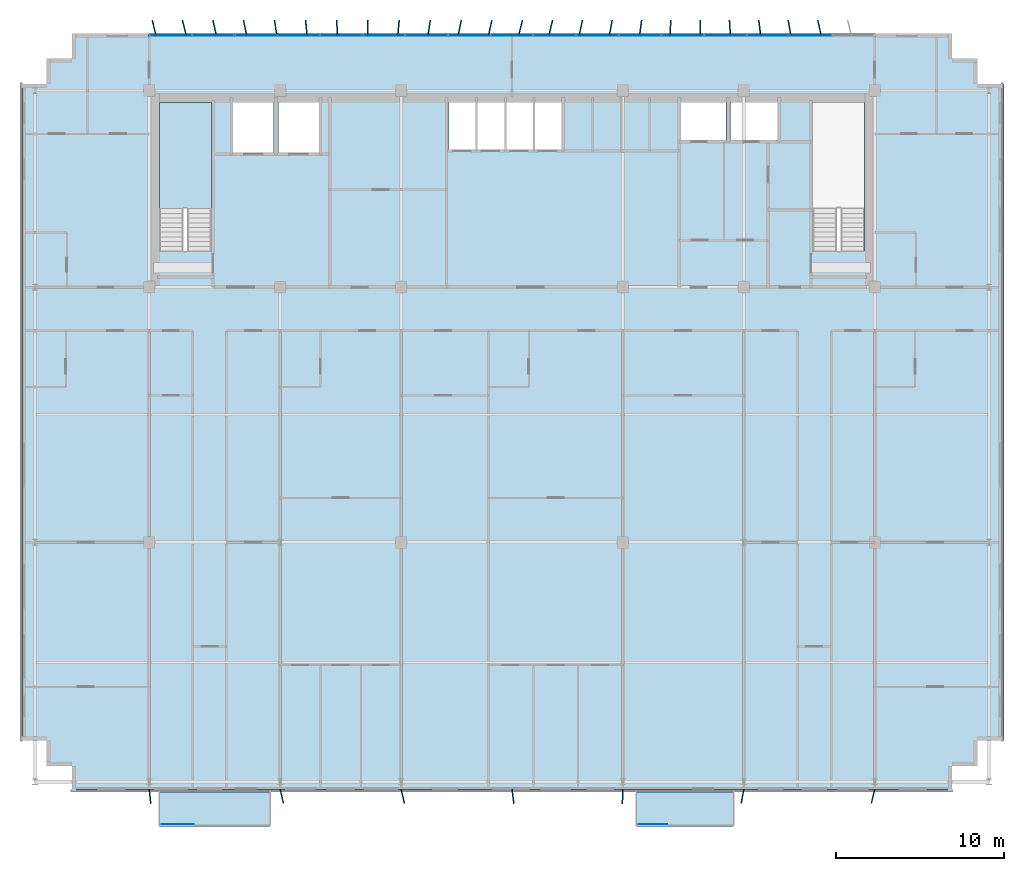
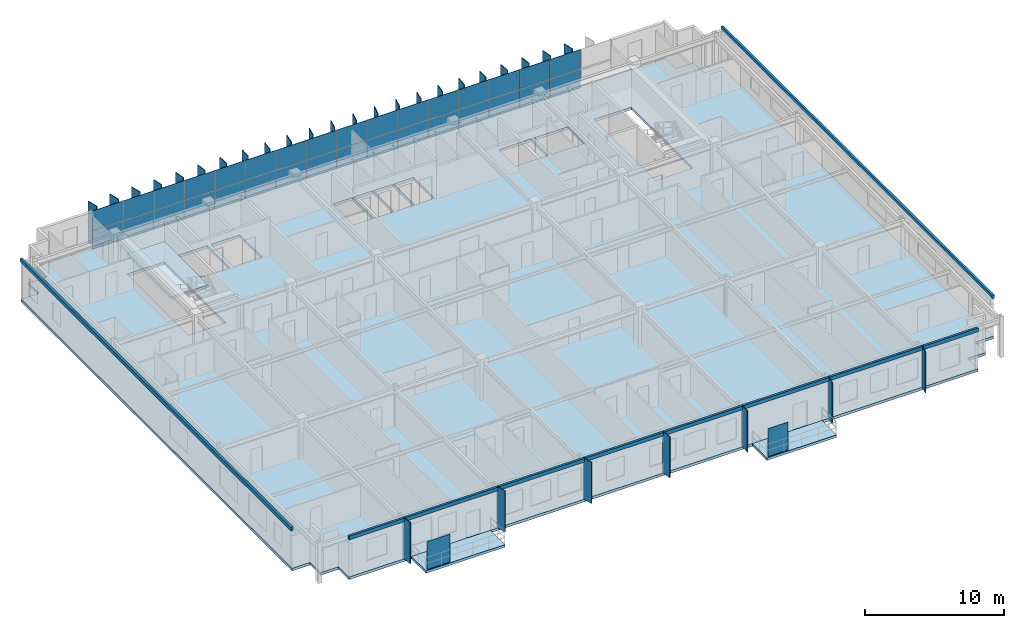
# One storey, part 15 of 23: 67 plates, 4 slabs, 2 elements without a shape of their own.
"""IFC4 building model written with IfcOpenShell, lengths in metres."""

from ifc_helpers import new_model, si_unit, direction, frame, origin, origin_2d, place, context, subcontext, project, spatial, polyline, rectangle, outline, extrude, source, transform, mapped, material, layer, layer_set, type_object, element, aggregate, save


model = new_model("IFC4")

# Units and contexts
model_context = context("Model", 3, precision=1e-05, world=origin(), true_north=direction((0.0, 1.0)))
body_context = subcontext(model_context, "Body", "Model", "MODEL_VIEW")
ifc_project = project(units=[si_unit("LENGTHUNIT", "METRE"), si_unit("AREAUNIT", "SQUARE_METRE"), si_unit("VOLUMEUNIT", "CUBIC_METRE"), si_unit("PLANEANGLEUNIT", "RADIAN"), si_unit("MASSUNIT", "GRAM", prefix="KILO")], contexts=[model_context])

# Site, building, storey
site_placement = place(None, origin())
site = spatial("IfcSite", under=ifc_project, at=site_placement, CompositionType="ELEMENT")
building_placement = place(site_placement, origin())
building = spatial("IfcBuilding", under=site, at=building_placement, Name="Trelvane Seafront Commons", CompositionType="ELEMENT")
storey_placement = place(building_placement, frame((0.0, 0.0, 208.5)))
storey = spatial("IfcBuildingStorey", under=building, at=storey_placement, Name="L54", CompositionType="ELEMENT", Elevation=208.5)

# Slabs
ifc_material_1 = material(Name="Concrete C40/50", Category="concrete")
ifc_layer_1 = layer(ifc_material_1, 0.219970703125, Name="ARCH-BALC-220")
ifc_layer_set_1 = layer_set([ifc_layer_1], Name="Concrete C40/50")
slab_type_1 = type_object("IfcSlabType", Name="ARCH-BALC-220", PredefinedType="FLOOR", material=ifc_layer_set_1)
slab_1_placement = place(storey_placement, frame((0.0, 0.0, -0.219970703125)))
element("IfcSlab", 1, at=slab_1_placement, inside=storey, type_object=slab_type_1, Name="L54 Cantilevered Tree Balcony Loggia 1", PredefinedType="FLOOR", context=body_context, shape_type="SweptSolid", body=[
    extrude(outline(polyline([(16.199951171875, 1.300048828125), (22.800048828125, 1.300048828125), (22.800048828125, 3.39990234375), (16.199951171875, 3.39990234375), (16.199951171875, 1.300048828125)])), origin(), (0.0, 0.0, 1.0), 0.219970703125),
])
slab_2_placement = place(storey_placement, frame((0.0, 0.0, -0.219970703125)))
element("IfcSlab", 2, at=slab_2_placement, inside=storey, type_object=slab_type_1, Name="L54 Cantilevered Tree Balcony Loggia 2", PredefinedType="FLOOR", context=body_context, shape_type="SweptSolid", body=[
    extrude(outline(polyline([(44.60009765625, 1.300048828125), (50.39990234375, 1.300048828125), (50.39990234375, 3.39990234375), (44.60009765625, 3.39990234375), (44.60009765625, 1.300048828125)])), origin(), (0.0, 0.0, 1.0), 0.219970703125),
])

# Stair, slab
stair_type = type_object("IfcStairType", Name="ARCH-STR-ST-1-R20-180", PredefinedType="HALF_TURN_STAIR", material=ifc_material_1)
stair_placement = place(storey_placement, origin())
stair = element("IfcStair", 3, at=stair_placement, inside=storey, type_object=stair_type, Name="L54 West Protected Firefighting Exit Stair ST-1", PredefinedType="HALF_TURN_STAIR")
ifc_layer_2 = layer(ifc_material_1, 0.199951171875, Name="ARCH-LND-200")
ifc_layer_set_2 = layer_set([ifc_layer_2], Name="Concrete C40/50")
slab_type_2 = type_object("IfcSlabType", Name="ARCH-LND-200", PredefinedType="LANDING", material=ifc_layer_set_2)
slab_3_placement = place(storey_placement, frame((0.0, 0.0, 1.60009765625)))
slab_3 = element("IfcSlab", 4, at=slab_3_placement, type_object=slab_type_2, Name="ST-1 landing 1", PredefinedType="LANDING", context=body_context, shape_type="SweptSolid", body=[
    extrude(outline(polyline([(19.300048828125, 38.070068359375), (19.300048828125, 44.39990234375), (16.199951171875, 44.39990234375), (16.199951171875, 38.070068359375), (19.300048828125, 38.070068359375)])), origin(), (0.0, 0.0, 1.0), 0.199951171875),
])
aggregate(stair, [slab_3])

# Slab
ifc_material_2 = material(Name="Concrete C50/60", Category="concrete")
ifc_layer_3 = layer(ifc_material_2, 0.239990234375, Name="STR-SLB-Z4-240")
ifc_layer_set_3 = layer_set([ifc_layer_3], Name="Concrete C50/60")
slab_type_3 = type_object("IfcSlabType", Name="STR-SLB-Z4-240", PredefinedType="FLOOR", material=ifc_layer_set_3)
slab_4_placement = place(storey_placement, frame((0.0, 0.0, -0.239990234375)))
element("IfcSlab", 5, at=slab_4_placement, inside=storey, type_object=slab_type_3, Name="L54 Structural Floor Slab", PredefinedType="FLOOR", context=body_context, shape_type="SweptSolid", body=[
    extrude(outline(polyline([(11.0, 3.39990234375), (63.39990234375, 3.39990234375), (63.39990234375, 4.89990234375), (64.89990234375, 4.89990234375), (64.89990234375, 6.39990234375), (66.39990234375, 6.39990234375), (66.39990234375, 45.5), (64.89990234375, 45.5), (64.89990234375, 47.0), (63.39990234375, 47.0), (63.39990234375, 48.5), (11.0, 48.5), (11.0, 47.0), (9.5, 47.0), (9.5, 45.5), (8.0, 45.5), (8.0, 6.39990234375), (9.5, 6.39990234375), (9.5, 4.89990234375), (11.0, 4.89990234375), (11.0, 3.39990234375)]), holes=[polyline([(19.300048828125, 35.550048828125), (16.199951171875, 35.550048828125), (16.199951171875, 44.39990234375), (19.300048828125, 44.39990234375), (19.300048828125, 35.550048828125)]), polyline([(58.199951171875, 35.550048828125), (55.10009765625, 35.550048828125), (55.10009765625, 44.39990234375), (58.199951171875, 44.39990234375), (58.199951171875, 35.550048828125)]), polyline([(23.0, 41.39990234375), (20.60009765625, 41.39990234375), (20.60009765625, 44.60009765625), (23.0, 44.60009765625), (23.0, 41.39990234375)]), polyline([(23.300048828125, 41.39990234375), (23.300048828125, 44.60009765625), (25.699951171875, 44.60009765625), (25.699951171875, 41.39990234375), (23.300048828125, 41.39990234375)]), polyline([(33.449951171875, 41.60009765625), (33.449951171875, 44.60009765625), (35.070068359375, 44.60009765625), (35.070068359375, 41.60009765625), (33.449951171875, 41.60009765625)]), polyline([(36.77001953125, 41.60009765625), (35.14990234375, 41.60009765625), (35.14990234375, 44.60009765625), (36.77001953125, 44.60009765625), (36.77001953125, 41.60009765625)]), polyline([(38.469970703125, 41.60009765625), (36.85009765625, 41.60009765625), (36.85009765625, 44.60009765625), (38.469970703125, 44.60009765625), (38.469970703125, 41.60009765625)]), polyline([(40.169921875, 41.60009765625), (38.550048828125, 41.60009765625), (38.550048828125, 44.60009765625), (40.169921875, 44.60009765625), (40.169921875, 41.60009765625)]), polyline([(47.25, 42.14990234375), (47.25, 44.550048828125), (49.949951171875, 44.550048828125), (49.949951171875, 42.14990234375), (47.25, 42.14990234375)]), polyline([(50.199951171875, 42.14990234375), (50.199951171875, 44.550048828125), (53.0, 44.550048828125), (53.0, 42.14990234375), (50.199951171875, 42.14990234375)])]), origin(), (0.0, 0.0, 1.0), 0.239990234375),
])

# Plates
ifc_material_3 = material(Name="Perforated anodised aluminium screen", Category="aluminium")
ifc_layer_4 = layer(ifc_material_3, 0.01611328125, Name="ARCH-PLATE-SCREEN")
ifc_layer_set_4 = layer_set([ifc_layer_4], Name="Perforated anodised aluminium screen")
plate_type_1 = type_object("IfcPlateType", Name="ARCH-PLATE-SCREEN", PredefinedType="USERDEFINED", material=ifc_layer_set_4)
shared_shape_1 = source(origin(), body_context, "Body", "SweptSolid", [
    extrude(rectangle(XDim=1.9140625, YDim=0.01611328125, at=origin_2d()), origin(), (0.0, 0.0, 1.0), 2.449951171875),
])
plate_1_placement = place(storey_placement, frame((17.306884765625, 1.419921875, 0.0), z_axis=(0.0, 0.0, 1.0), x_axis=(1.0, 0.0, 0.0)))
element("IfcPlate", 6, at=plate_1_placement, inside=storey, type_object=plate_type_1, Name="SCR-L54-00192", ObjectType="SCREEN", PredefinedType="USERDEFINED", context=body_context, shape_type="MappedRepresentation", body=[
    mapped(shared_shape_1, transform((0.0, 0.0, 0.0), x_axis=(1.0, 0.0, 0.0), y_axis=(0.0, 1.0, 0.0), z_axis=(0.0, 0.0, 1.0), scale=1.0)),
])
shared_shape_2 = source(origin(), body_context, "Body", "SweptSolid", [
    extrude(rectangle(XDim=1.681884765625, YDim=0.01611328125, at=origin_2d()), origin(), (0.0, 0.0, 1.0), 2.449951171875),
])
plate_2_placement = place(storey_placement, frame((45.591064453125, 1.419921875, 0.0), z_axis=(0.0, 0.0, 1.0), x_axis=(1.0, 0.0, 0.0)))
element("IfcPlate", 7, at=plate_2_placement, inside=storey, type_object=plate_type_1, Name="SCR-L54-00193", ObjectType="SCREEN", PredefinedType="USERDEFINED", context=body_context, shape_type="MappedRepresentation", body=[
    mapped(shared_shape_2, transform((0.0, 0.0, 0.0), x_axis=(1.0, 0.0, 0.0), y_axis=(0.0, 1.0, 0.0), z_axis=(0.0, 0.0, 1.0), scale=1.0)),
])
ifc_material_4 = material(Name="Anodised pale-silver aluminium", Category="aluminium")
ifc_layer_5 = layer(ifc_material_4, 0.06005859375, Name="ARCH-PLATE-FIN900")
ifc_layer_set_5 = layer_set([ifc_layer_5], Name="Anodised pale-silver aluminium")
plate_type_2 = type_object("IfcPlateType", Name="ARCH-PLATE-FIN900", PredefinedType="USERDEFINED", material=ifc_layer_set_5)
shared_shape_3 = source(origin(), body_context, "Body", "SweptSolid", [
    extrude(rectangle(XDim=0.89990234375, YDim=0.06005859375, at=origin_2d()), origin(), (0.0, 0.0, 1.0), 3.639892578125),
])
for number, where, z_axis, x_axis, name in (
    (8, (15.8935546875, 48.837158203125, -0.02001953125), (0.0, 0.0, 1.0), (-0.236439642978, 0.971646178003, 0.0), "FIN-L54-01480"),
    (9, (19.496826171875, 48.837890625, -0.02001953125), (0.0, 0.0, 1.0), (-0.228996521822, 0.973427240729, 0.0), "FIN-L54-01482"),
    (10, (21.31005859375, 48.8408203125, -0.02001953125), (0.0, 0.0, 1.0), (-0.199768125932, 0.97984319963, 0.0), "FIN-L54-01483"),
    (11, (23.1298828125, 48.844482421875, -0.02001953125), (0.0, 0.0, 1.0), (-0.155563864507, 0.987825836906, 0.0), "FIN-L54-01484"),
    (12, (24.955078125, 48.84765625, -0.02001953125), (0.0, 0.0, 1.0), (-0.099559411404, 0.995031619397, 0.0), "FIN-L54-01485"),
    (13, (26.783935546875, 48.849609375, -0.02001953125), (0.0, 0.0, 1.0), (-0.035890222504, 0.999355738428, 0.0), "FIN-L54-01486"),
    (14, (28.61376953125, 48.849853515625, -0.02001953125), (0.0, 0.0, 1.0), (0.030665862572, 0.999529691841, 0.0), "FIN-L54-01487"),
    (15, (30.442626953125, 48.847900390625, -0.02001953125), (0.0, 0.0, 1.0), (0.094782474055, 0.995498007337, 0.0), "FIN-L54-01488"),
    (16, (32.268310546875, 48.8447265625, -0.02001953125), (0.0, 0.0, 1.0), (0.151555830794, 0.988448698796, 0.0), "FIN-L54-01489"),
    (17, (34.08837890625, 48.84130859375, -0.02001953125), (0.0, 0.0, 1.0), (0.19677786044, 0.980448098392, 0.0), "FIN-L54-01490"),
    (18, (35.90234375, 48.838134765625, -0.02001953125), (0.0, 0.0, 1.0), (0.227341413427, 0.973815116817, 0.0), "FIN-L54-01491"),
    (19, (37.70849609375, 48.836669921875, -0.02001953125), (0.0, 0.0, 1.0), (0.241227504659, 0.970468593514, 0.0), "FIN-L54-01492"),
    (20, (39.5068359375, 48.837158203125, -0.02001953125), (0.0, 0.0, 1.0), (0.237434978264, 0.971403433748, 0.0), "FIN-L54-01493"),
    (21, (41.29736328125, 48.83935546875, -0.02001953125), (0.0, 0.0, 1.0), (0.216436206021, 0.976296762631, 0.0), "FIN-L54-01494"),
    (22, (43.080810546875, 48.8427734375, -0.02001953125), (0.0, 0.0, 1.0), (0.179334521954, 0.98378815262, 0.0), "FIN-L54-01495"),
    (23, (44.85791015625, 48.84619140625, -0.02001953125), (0.0, 0.0, 1.0), (0.128778288631, 0.991673410139, 0.0), "FIN-L54-01496"),
    (24, (46.630615234375, 48.84912109375, -0.02001953125), (0.0, 0.0, 1.0), (0.068332201564, 0.99766262345, 0.0), "FIN-L54-01497"),
    (25, (48.401123046875, 48.85009765625, -0.02001953125), (0.0, 0.0, 1.0), (0.002666859936, 0.999996443923, 0.0), "FIN-L54-01498"),
    (26, (50.17138671875, 48.84912109375, -0.02001953125), (0.0, 0.0, 1.0), (-0.063332236563, 0.997992498876, 0.0), "FIN-L54-01499"),
    (27, (51.944091796875, 48.846435546875, -0.02001953125), (0.0, 0.0, 1.0), (-0.124444889672, 0.992226521231, 0.0), "FIN-L54-01500"),
    (28, (53.720703125, 48.843017578125, -0.02001953125), (0.0, 0.0, 1.0), (-0.175882186689, 0.984411223222, 0.0), "FIN-L54-01501"),
    (29, (55.503662109375, 48.839599609375, -0.02001953125), (0.0, 0.0, 1.0), (-0.214118213828, 0.976807755143, 0.0), "FIN-L54-01502"),
):
    element("IfcPlate", number, at=place(storey_placement, frame(where, z_axis=z_axis, x_axis=x_axis)), inside=storey, type_object=plate_type_2, Name=name, ObjectType="FIN", PredefinedType="USERDEFINED", context=body_context, shape_type="MappedRepresentation", body=[
        mapped(shared_shape_3, transform((0.0, 0.0, 0.0), x_axis=(1.0, 0.0, 0.0), y_axis=(0.0, 1.0, 0.0), z_axis=(0.0, 0.0, 1.0), scale=1.0)),
    ])
shared_shape_4 = source(origin(), body_context, "Body", "SweptSolid", [
    extrude(rectangle(XDim=0.900146484375, YDim=0.06005859375, at=origin_2d()), origin(), (0.0, 0.0, 1.0), 3.639892578125),
])
plate_3_placement = place(storey_placement, frame((17.69140625, 48.836669921875, -0.02001953125), z_axis=(0.0, 0.0, 1.0), x_axis=(-0.241542536366, 0.970390232394, 0.0)))
element("IfcPlate", 30, at=plate_3_placement, inside=storey, type_object=plate_type_2, Name="FIN-L54-01481", ObjectType="FIN", PredefinedType="USERDEFINED", context=body_context, shape_type="MappedRepresentation", body=[
    mapped(shared_shape_4, transform((0.0, 0.0, 0.0), x_axis=(1.0, 0.0, 0.0), y_axis=(0.0, 1.0, 0.0), z_axis=(0.0, 0.0, 1.0), scale=1.0)),
])
shared_shape_5 = source(origin(), body_context, "Body", "SweptSolid", [
    extrude(rectangle(XDim=0.85009765625, YDim=0.06005859375, at=origin_2d()), origin(), (0.0, 0.0, 1.0), 3.639892578125),
])
for number, where, z_axis, x_axis, name in (
    (31, (15.648193359375, 3.07763671875, -0.02001953125), (0.0, 0.0, 1.0), (0.113529220353, -0.993534657738, 0.0), "FIN-S-L54-01504"),
    (32, (23.495361328125, 3.085693359375, -0.02001953125), (0.0, 0.0, 1.0), (0.224360906113, -0.974506123022, 0.0), "FIN-S-L54-01505"),
    (33, (30.697998046875, 3.08642578125, -0.02001953125), (0.0, 0.0, 1.0), (0.230363950938, -0.97310454223, 0.0), "FIN-S-L54-01506"),
    (34, (37.2548828125, 3.07861328125, -0.02001953125), (0.0, 0.0, 1.0), (0.128826750782, -0.991667115661, 0.0), "FIN-S-L54-01507"),
    (35, (43.78515625, 3.0751953125, -0.02001953125), (0.0, 0.0, 1.0), (-0.034822748894, -0.999393504161, 0.0), "FIN-S-L54-01508"),
    (36, (50.9228515625, 3.08203125, -0.02001953125), (0.0, 0.0, 1.0), (-0.181411731933, -0.98340723178, 0.0), "FIN-S-L54-01509"),
    (37, (58.697265625, 3.087646484375, -0.02001953125), (0.0, 0.0, 1.0), (-0.241871090703, -0.970308391947, 0.0), "FIN-S-L54-01510"),
):
    element("IfcPlate", number, at=place(storey_placement, frame(where, z_axis=z_axis, x_axis=x_axis)), inside=storey, type_object=plate_type_2, Name=name, ObjectType="FIN", PredefinedType="USERDEFINED", context=body_context, shape_type="MappedRepresentation", body=[
        mapped(shared_shape_5, transform((0.0, 0.0, 0.0), x_axis=(1.0, 0.0, 0.0), y_axis=(0.0, 1.0, 0.0), z_axis=(0.0, 0.0, 1.0), scale=1.0)),
    ])

# Curtain wall, plates
curtain_wall_type = type_object("IfcCurtainWallType", Name="ARCH-CW5-UPTOWER", PredefinedType="NOTDEFINED", material=ifc_material_4)
curtain_wall_placement = place(storey_placement, origin())
curtain_wall = element("IfcCurtainWall", 38, at=curtain_wall_placement, inside=storey, type_object=curtain_wall_type, Name="CW-L54-0097", PredefinedType="NOTDEFINED")
ifc_material_5 = material(Name="Low-E coastal double glazing", Category="glass")
ifc_layer_6 = layer(ifc_material_5, 0.033935546875, Name="ARCH-CW-GLAZ-34")
ifc_layer_set_6 = layer_set([ifc_layer_6], Name="Low-E coastal double glazing")
plate_type_3 = type_object("IfcPlateType", Name="ARCH-CW-GLAZ-34", PredefinedType="CURTAIN_PANEL", material=ifc_layer_set_6)
shared_shape_6 = source(origin(), body_context, "Body", "SweptSolid", [
    extrude(rectangle(XDim=2.51708984375, YDim=0.033935546875, at=origin_2d()), origin(), (0.0, 0.0, 1.0), 1.594970703125),
])
plate_4_placement = place(storey_placement, frame((16.87060546875, 48.3701171875, 0.0), z_axis=(0.0, 0.0, 1.0), x_axis=(1.0, 0.0, 0.0)))
plate_4 = element("IfcPlate", 39, at=plate_4_placement, type_object=plate_type_3, Name="CW-L54-0097-P00-1", PredefinedType="CURTAIN_PANEL", context=body_context, shape_type="MappedRepresentation", body=[
    mapped(shared_shape_6, transform((0.0, 0.0, 0.0), x_axis=(1.0, 0.0, 0.0), y_axis=(0.0, 1.0, 0.0), z_axis=(0.0, 0.0, 1.0), scale=1.0)),
])
plate_5_placement = place(storey_placement, frame((19.411865234375, 48.3701171875, 0.0), z_axis=(0.0, 0.0, 1.0), x_axis=(1.0, 0.0, 0.0)))
plate_5 = element("IfcPlate", 40, at=plate_5_placement, type_object=plate_type_3, Name="CW-L54-0097-P01-1", PredefinedType="CURTAIN_PANEL", context=body_context, shape_type="MappedRepresentation", body=[
    mapped(shared_shape_6, transform((0.0, 0.0, 0.0), x_axis=(1.0, 0.0, 0.0), y_axis=(0.0, 1.0, 0.0), z_axis=(0.0, 0.0, 1.0), scale=1.0)),
])
plate_6_placement = place(storey_placement, frame((21.952880859375, 48.3701171875, 0.0), z_axis=(0.0, 0.0, 1.0), x_axis=(1.0, 0.0, 0.0)))
plate_6 = element("IfcPlate", 41, at=plate_6_placement, type_object=plate_type_3, Name="CW-L54-0097-P02-1", PredefinedType="CURTAIN_PANEL", context=body_context, shape_type="MappedRepresentation", body=[
    mapped(shared_shape_6, transform((0.0, 0.0, 0.0), x_axis=(1.0, 0.0, 0.0), y_axis=(0.0, 1.0, 0.0), z_axis=(0.0, 0.0, 1.0), scale=1.0)),
])
plate_7_placement = place(storey_placement, frame((24.494140625, 48.3701171875, 0.0), z_axis=(0.0, 0.0, 1.0), x_axis=(1.0, 0.0, 0.0)))
plate_7 = element("IfcPlate", 42, at=plate_7_placement, type_object=plate_type_3, Name="CW-L54-0097-P03-1", PredefinedType="CURTAIN_PANEL", context=body_context, shape_type="MappedRepresentation", body=[
    mapped(shared_shape_6, transform((0.0, 0.0, 0.0), x_axis=(1.0, 0.0, 0.0), y_axis=(0.0, 1.0, 0.0), z_axis=(0.0, 0.0, 1.0), scale=1.0)),
])
plate_8_placement = place(storey_placement, frame((27.035400390625, 48.3701171875, 0.0), z_axis=(0.0, 0.0, 1.0), x_axis=(1.0, 0.0, 0.0)))
plate_8 = element("IfcPlate", 43, at=plate_8_placement, type_object=plate_type_3, Name="CW-L54-0097-P04-1", PredefinedType="CURTAIN_PANEL", context=body_context, shape_type="MappedRepresentation", body=[
    mapped(shared_shape_6, transform((0.0, 0.0, 0.0), x_axis=(1.0, 0.0, 0.0), y_axis=(0.0, 1.0, 0.0), z_axis=(0.0, 0.0, 1.0), scale=1.0)),
])
plate_9_placement = place(storey_placement, frame((29.576416015625, 48.3701171875, 0.0), z_axis=(0.0, 0.0, 1.0), x_axis=(1.0, 0.0, 0.0)))
plate_9 = element("IfcPlate", 44, at=plate_9_placement, type_object=plate_type_3, Name="CW-L54-0097-P05-1", PredefinedType="CURTAIN_PANEL", context=body_context, shape_type="MappedRepresentation", body=[
    mapped(shared_shape_6, transform((0.0, 0.0, 0.0), x_axis=(1.0, 0.0, 0.0), y_axis=(0.0, 1.0, 0.0), z_axis=(0.0, 0.0, 1.0), scale=1.0)),
])
plate_10_placement = place(storey_placement, frame((32.11767578125, 48.3701171875, 0.0), z_axis=(0.0, 0.0, 1.0), x_axis=(1.0, 0.0, 0.0)))
plate_10 = element("IfcPlate", 45, at=plate_10_placement, type_object=plate_type_3, Name="CW-L54-0097-P06-1", PredefinedType="CURTAIN_PANEL", context=body_context, shape_type="MappedRepresentation", body=[
    mapped(shared_shape_6, transform((0.0, 0.0, 0.0), x_axis=(1.0, 0.0, 0.0), y_axis=(0.0, 1.0, 0.0), z_axis=(0.0, 0.0, 1.0), scale=1.0)),
])
plate_11_placement = place(storey_placement, frame((34.65869140625, 48.3701171875, 0.0), z_axis=(0.0, 0.0, 1.0), x_axis=(1.0, 0.0, 0.0)))
plate_11 = element("IfcPlate", 46, at=plate_11_placement, type_object=plate_type_3, Name="CW-L54-0097-P07-1", PredefinedType="CURTAIN_PANEL", context=body_context, shape_type="MappedRepresentation", body=[
    mapped(shared_shape_6, transform((0.0, 0.0, 0.0), x_axis=(1.0, 0.0, 0.0), y_axis=(0.0, 1.0, 0.0), z_axis=(0.0, 0.0, 1.0), scale=1.0)),
])
plate_12_placement = place(storey_placement, frame((37.199951171875, 48.3701171875, 0.0), z_axis=(0.0, 0.0, 1.0), x_axis=(1.0, 0.0, 0.0)))
plate_12 = element("IfcPlate", 47, at=plate_12_placement, type_object=plate_type_3, Name="CW-L54-0097-P08-1", PredefinedType="CURTAIN_PANEL", context=body_context, shape_type="MappedRepresentation", body=[
    mapped(shared_shape_6, transform((0.0, 0.0, 0.0), x_axis=(1.0, 0.0, 0.0), y_axis=(0.0, 1.0, 0.0), z_axis=(0.0, 0.0, 1.0), scale=1.0)),
])
plate_13_placement = place(storey_placement, frame((39.7412109375, 48.3701171875, 0.0), z_axis=(0.0, 0.0, 1.0), x_axis=(1.0, 0.0, 0.0)))
plate_13 = element("IfcPlate", 48, at=plate_13_placement, type_object=plate_type_3, Name="CW-L54-0097-P09-1", PredefinedType="CURTAIN_PANEL", context=body_context, shape_type="MappedRepresentation", body=[
    mapped(shared_shape_6, transform((0.0, 0.0, 0.0), x_axis=(1.0, 0.0, 0.0), y_axis=(0.0, 1.0, 0.0), z_axis=(0.0, 0.0, 1.0), scale=1.0)),
])
plate_14_placement = place(storey_placement, frame((42.282470703125, 48.3701171875, 0.0), z_axis=(0.0, 0.0, 1.0), x_axis=(1.0, 0.0, 0.0)))
plate_14 = element("IfcPlate", 49, at=plate_14_placement, type_object=plate_type_3, Name="CW-L54-0097-P10-1", PredefinedType="CURTAIN_PANEL", context=body_context, shape_type="MappedRepresentation", body=[
    mapped(shared_shape_6, transform((0.0, 0.0, 0.0), x_axis=(1.0, 0.0, 0.0), y_axis=(0.0, 1.0, 0.0), z_axis=(0.0, 0.0, 1.0), scale=1.0)),
])
plate_15_placement = place(storey_placement, frame((44.823486328125, 48.3701171875, 0.0), z_axis=(0.0, 0.0, 1.0), x_axis=(1.0, 0.0, 0.0)))
plate_15 = element("IfcPlate", 50, at=plate_15_placement, type_object=plate_type_3, Name="CW-L54-0097-P11-1", PredefinedType="CURTAIN_PANEL", context=body_context, shape_type="MappedRepresentation", body=[
    mapped(shared_shape_6, transform((0.0, 0.0, 0.0), x_axis=(1.0, 0.0, 0.0), y_axis=(0.0, 1.0, 0.0), z_axis=(0.0, 0.0, 1.0), scale=1.0)),
])
plate_16_placement = place(storey_placement, frame((47.36474609375, 48.3701171875, 0.0), z_axis=(0.0, 0.0, 1.0), x_axis=(1.0, 0.0, 0.0)))
plate_16 = element("IfcPlate", 51, at=plate_16_placement, type_object=plate_type_3, Name="CW-L54-0097-P12-1", PredefinedType="CURTAIN_PANEL", context=body_context, shape_type="MappedRepresentation", body=[
    mapped(shared_shape_6, transform((0.0, 0.0, 0.0), x_axis=(1.0, 0.0, 0.0), y_axis=(0.0, 1.0, 0.0), z_axis=(0.0, 0.0, 1.0), scale=1.0)),
])
plate_17_placement = place(storey_placement, frame((49.906005859375, 48.3701171875, 0.0), z_axis=(0.0, 0.0, 1.0), x_axis=(1.0, 0.0, 0.0)))
plate_17 = element("IfcPlate", 52, at=plate_17_placement, type_object=plate_type_3, Name="CW-L54-0097-P13-1", PredefinedType="CURTAIN_PANEL", context=body_context, shape_type="MappedRepresentation", body=[
    mapped(shared_shape_6, transform((0.0, 0.0, 0.0), x_axis=(1.0, 0.0, 0.0), y_axis=(0.0, 1.0, 0.0), z_axis=(0.0, 0.0, 1.0), scale=1.0)),
])
plate_18_placement = place(storey_placement, frame((52.447021484375, 48.3701171875, 0.0), z_axis=(0.0, 0.0, 1.0), x_axis=(1.0, 0.0, 0.0)))
plate_18 = element("IfcPlate", 53, at=plate_18_placement, type_object=plate_type_3, Name="CW-L54-0097-P14-1", PredefinedType="CURTAIN_PANEL", context=body_context, shape_type="MappedRepresentation", body=[
    mapped(shared_shape_6, transform((0.0, 0.0, 0.0), x_axis=(1.0, 0.0, 0.0), y_axis=(0.0, 1.0, 0.0), z_axis=(0.0, 0.0, 1.0), scale=1.0)),
])
plate_19_placement = place(storey_placement, frame((54.98828125, 48.3701171875, 0.0), z_axis=(0.0, 0.0, 1.0), x_axis=(1.0, 0.0, 0.0)))
plate_19 = element("IfcPlate", 54, at=plate_19_placement, type_object=plate_type_3, Name="CW-L54-0097-P15-1", PredefinedType="CURTAIN_PANEL", context=body_context, shape_type="MappedRepresentation", body=[
    mapped(shared_shape_6, transform((0.0, 0.0, 0.0), x_axis=(1.0, 0.0, 0.0), y_axis=(0.0, 1.0, 0.0), z_axis=(0.0, 0.0, 1.0), scale=1.0)),
])
shared_shape_7 = source(origin(), body_context, "Body", "SweptSolid", [
    extrude(rectangle(XDim=2.51708984375, YDim=0.033935546875, at=origin_2d()), origin(), (0.0, 0.0, 1.0), 1.72900390625),
])
plate_20_placement = place(storey_placement, frame((16.87060546875, 48.3701171875, 1.631103515625), z_axis=(0.0, 0.0, 1.0), x_axis=(1.0, 0.0, 0.0)))
plate_20 = element("IfcPlate", 55, at=plate_20_placement, type_object=plate_type_3, Name="CW-L54-0097-P00-2", PredefinedType="CURTAIN_PANEL", context=body_context, shape_type="MappedRepresentation", body=[
    mapped(shared_shape_7, transform((0.0, 0.0, 0.0), x_axis=(1.0, 0.0, 0.0), y_axis=(0.0, 1.0, 0.0), z_axis=(0.0, 0.0, 1.0), scale=1.0)),
])
plate_21_placement = place(storey_placement, frame((19.411865234375, 48.3701171875, 1.631103515625), z_axis=(0.0, 0.0, 1.0), x_axis=(1.0, 0.0, 0.0)))
plate_21 = element("IfcPlate", 56, at=plate_21_placement, type_object=plate_type_3, Name="CW-L54-0097-P01-2", PredefinedType="CURTAIN_PANEL", context=body_context, shape_type="MappedRepresentation", body=[
    mapped(shared_shape_7, transform((0.0, 0.0, 0.0), x_axis=(1.0, 0.0, 0.0), y_axis=(0.0, 1.0, 0.0), z_axis=(0.0, 0.0, 1.0), scale=1.0)),
])
plate_22_placement = place(storey_placement, frame((21.952880859375, 48.3701171875, 1.631103515625), z_axis=(0.0, 0.0, 1.0), x_axis=(1.0, 0.0, 0.0)))
plate_22 = element("IfcPlate", 57, at=plate_22_placement, type_object=plate_type_3, Name="CW-L54-0097-P02-2", PredefinedType="CURTAIN_PANEL", context=body_context, shape_type="MappedRepresentation", body=[
    mapped(shared_shape_7, transform((0.0, 0.0, 0.0), x_axis=(1.0, 0.0, 0.0), y_axis=(0.0, 1.0, 0.0), z_axis=(0.0, 0.0, 1.0), scale=1.0)),
])
plate_23_placement = place(storey_placement, frame((24.494140625, 48.3701171875, 1.631103515625), z_axis=(0.0, 0.0, 1.0), x_axis=(1.0, 0.0, 0.0)))
plate_23 = element("IfcPlate", 58, at=plate_23_placement, type_object=plate_type_3, Name="CW-L54-0097-P03-2", PredefinedType="CURTAIN_PANEL", context=body_context, shape_type="MappedRepresentation", body=[
    mapped(shared_shape_7, transform((0.0, 0.0, 0.0), x_axis=(1.0, 0.0, 0.0), y_axis=(0.0, 1.0, 0.0), z_axis=(0.0, 0.0, 1.0), scale=1.0)),
])
plate_24_placement = place(storey_placement, frame((27.035400390625, 48.3701171875, 1.631103515625), z_axis=(0.0, 0.0, 1.0), x_axis=(1.0, 0.0, 0.0)))
plate_24 = element("IfcPlate", 59, at=plate_24_placement, type_object=plate_type_3, Name="CW-L54-0097-P04-2", PredefinedType="CURTAIN_PANEL", context=body_context, shape_type="MappedRepresentation", body=[
    mapped(shared_shape_7, transform((0.0, 0.0, 0.0), x_axis=(1.0, 0.0, 0.0), y_axis=(0.0, 1.0, 0.0), z_axis=(0.0, 0.0, 1.0), scale=1.0)),
])
plate_25_placement = place(storey_placement, frame((29.576416015625, 48.3701171875, 1.631103515625), z_axis=(0.0, 0.0, 1.0), x_axis=(1.0, 0.0, 0.0)))
plate_25 = element("IfcPlate", 60, at=plate_25_placement, type_object=plate_type_3, Name="CW-L54-0097-P05-2", PredefinedType="CURTAIN_PANEL", context=body_context, shape_type="MappedRepresentation", body=[
    mapped(shared_shape_7, transform((0.0, 0.0, 0.0), x_axis=(1.0, 0.0, 0.0), y_axis=(0.0, 1.0, 0.0), z_axis=(0.0, 0.0, 1.0), scale=1.0)),
])
plate_26_placement = place(storey_placement, frame((32.11767578125, 48.3701171875, 1.631103515625), z_axis=(0.0, 0.0, 1.0), x_axis=(1.0, 0.0, 0.0)))
plate_26 = element("IfcPlate", 61, at=plate_26_placement, type_object=plate_type_3, Name="CW-L54-0097-P06-2", PredefinedType="CURTAIN_PANEL", context=body_context, shape_type="MappedRepresentation", body=[
    mapped(shared_shape_7, transform((0.0, 0.0, 0.0), x_axis=(1.0, 0.0, 0.0), y_axis=(0.0, 1.0, 0.0), z_axis=(0.0, 0.0, 1.0), scale=1.0)),
])
plate_27_placement = place(storey_placement, frame((34.65869140625, 48.3701171875, 1.631103515625), z_axis=(0.0, 0.0, 1.0), x_axis=(1.0, 0.0, 0.0)))
plate_27 = element("IfcPlate", 62, at=plate_27_placement, type_object=plate_type_3, Name="CW-L54-0097-P07-2", PredefinedType="CURTAIN_PANEL", context=body_context, shape_type="MappedRepresentation", body=[
    mapped(shared_shape_7, transform((0.0, 0.0, 0.0), x_axis=(1.0, 0.0, 0.0), y_axis=(0.0, 1.0, 0.0), z_axis=(0.0, 0.0, 1.0), scale=1.0)),
])
plate_28_placement = place(storey_placement, frame((37.199951171875, 48.3701171875, 1.631103515625), z_axis=(0.0, 0.0, 1.0), x_axis=(1.0, 0.0, 0.0)))
plate_28 = element("IfcPlate", 63, at=plate_28_placement, type_object=plate_type_3, Name="CW-L54-0097-P08-2", PredefinedType="CURTAIN_PANEL", context=body_context, shape_type="MappedRepresentation", body=[
    mapped(shared_shape_7, transform((0.0, 0.0, 0.0), x_axis=(1.0, 0.0, 0.0), y_axis=(0.0, 1.0, 0.0), z_axis=(0.0, 0.0, 1.0), scale=1.0)),
])
plate_29_placement = place(storey_placement, frame((39.7412109375, 48.3701171875, 1.631103515625), z_axis=(0.0, 0.0, 1.0), x_axis=(1.0, 0.0, 0.0)))
plate_29 = element("IfcPlate", 64, at=plate_29_placement, type_object=plate_type_3, Name="CW-L54-0097-P09-2", PredefinedType="CURTAIN_PANEL", context=body_context, shape_type="MappedRepresentation", body=[
    mapped(shared_shape_7, transform((0.0, 0.0, 0.0), x_axis=(1.0, 0.0, 0.0), y_axis=(0.0, 1.0, 0.0), z_axis=(0.0, 0.0, 1.0), scale=1.0)),
])
plate_30_placement = place(storey_placement, frame((42.282470703125, 48.3701171875, 1.631103515625), z_axis=(0.0, 0.0, 1.0), x_axis=(1.0, 0.0, 0.0)))
plate_30 = element("IfcPlate", 65, at=plate_30_placement, type_object=plate_type_3, Name="CW-L54-0097-P10-2", PredefinedType="CURTAIN_PANEL", context=body_context, shape_type="MappedRepresentation", body=[
    mapped(shared_shape_7, transform((0.0, 0.0, 0.0), x_axis=(1.0, 0.0, 0.0), y_axis=(0.0, 1.0, 0.0), z_axis=(0.0, 0.0, 1.0), scale=1.0)),
])
plate_31_placement = place(storey_placement, frame((44.823486328125, 48.3701171875, 1.631103515625), z_axis=(0.0, 0.0, 1.0), x_axis=(1.0, 0.0, 0.0)))
plate_31 = element("IfcPlate", 66, at=plate_31_placement, type_object=plate_type_3, Name="CW-L54-0097-P11-2", PredefinedType="CURTAIN_PANEL", context=body_context, shape_type="MappedRepresentation", body=[
    mapped(shared_shape_7, transform((0.0, 0.0, 0.0), x_axis=(1.0, 0.0, 0.0), y_axis=(0.0, 1.0, 0.0), z_axis=(0.0, 0.0, 1.0), scale=1.0)),
])
plate_32_placement = place(storey_placement, frame((47.36474609375, 48.3701171875, 1.631103515625), z_axis=(0.0, 0.0, 1.0), x_axis=(1.0, 0.0, 0.0)))
plate_32 = element("IfcPlate", 67, at=plate_32_placement, type_object=plate_type_3, Name="CW-L54-0097-P12-2", PredefinedType="CURTAIN_PANEL", context=body_context, shape_type="MappedRepresentation", body=[
    mapped(shared_shape_7, transform((0.0, 0.0, 0.0), x_axis=(1.0, 0.0, 0.0), y_axis=(0.0, 1.0, 0.0), z_axis=(0.0, 0.0, 1.0), scale=1.0)),
])
plate_33_placement = place(storey_placement, frame((49.906005859375, 48.3701171875, 1.631103515625), z_axis=(0.0, 0.0, 1.0), x_axis=(1.0, 0.0, 0.0)))
plate_33 = element("IfcPlate", 68, at=plate_33_placement, type_object=plate_type_3, Name="CW-L54-0097-P13-2", PredefinedType="CURTAIN_PANEL", context=body_context, shape_type="MappedRepresentation", body=[
    mapped(shared_shape_7, transform((0.0, 0.0, 0.0), x_axis=(1.0, 0.0, 0.0), y_axis=(0.0, 1.0, 0.0), z_axis=(0.0, 0.0, 1.0), scale=1.0)),
])
plate_34_placement = place(storey_placement, frame((52.447021484375, 48.3701171875, 1.631103515625), z_axis=(0.0, 0.0, 1.0), x_axis=(1.0, 0.0, 0.0)))
plate_34 = element("IfcPlate", 69, at=plate_34_placement, type_object=plate_type_3, Name="CW-L54-0097-P14-2", PredefinedType="CURTAIN_PANEL", context=body_context, shape_type="MappedRepresentation", body=[
    mapped(shared_shape_7, transform((0.0, 0.0, 0.0), x_axis=(1.0, 0.0, 0.0), y_axis=(0.0, 1.0, 0.0), z_axis=(0.0, 0.0, 1.0), scale=1.0)),
])
plate_35_placement = place(storey_placement, frame((54.98828125, 48.3701171875, 1.631103515625), z_axis=(0.0, 0.0, 1.0), x_axis=(1.0, 0.0, 0.0)))
plate_35 = element("IfcPlate", 70, at=plate_35_placement, type_object=plate_type_3, Name="CW-L54-0097-P15-2", PredefinedType="CURTAIN_PANEL", context=body_context, shape_type="MappedRepresentation", body=[
    mapped(shared_shape_7, transform((0.0, 0.0, 0.0), x_axis=(1.0, 0.0, 0.0), y_axis=(0.0, 1.0, 0.0), z_axis=(0.0, 0.0, 1.0), scale=1.0)),
])
aggregate(curtain_wall, [plate_4, plate_20, plate_5, plate_21, plate_6, plate_22, plate_7, plate_23, plate_8, plate_24, plate_9, plate_25, plate_10, plate_26, plate_11, plate_27, plate_12, plate_28, plate_13, plate_29, plate_14, plate_30, plate_15, plate_31, plate_16, plate_32, plate_17, plate_33, plate_18, plate_34, plate_19, plate_35])

# Plates
ifc_layer_7 = layer(ifc_material_4, 0.179931640625, Name="ARCH-PLATE-AERO")
ifc_layer_set_7 = layer_set([ifc_layer_7], Name="Anodised pale-silver aluminium")
plate_type_4 = type_object("IfcPlateType", Name="ARCH-PLATE-AERO", PredefinedType="SHEET", material=ifc_layer_set_7)
shared_shape_8 = source(origin(), body_context, "Body", "SweptSolid", [
    extrude(rectangle(XDim=39.10009765625, YDim=0.179931640625, at=origin_2d()), origin(), (0.0, 0.0, 1.0), 0.320068359375),
])
for number, where, z_axis, x_axis, name in (
    (71, (8.0, 25.949951171875, 3.2998046875), (0.0, 0.0, 1.0), (0.0, 1.0, 0.0), "AER-L54-00190"),
    (72, (66.39990234375, 25.949951171875, 3.2998046875), (0.0, 0.0, 1.0), (0.0, -1.0, 0.0), "AER-L54-00191"),
):
    element("IfcPlate", number, at=place(storey_placement, frame(where, z_axis=z_axis, x_axis=x_axis)), inside=storey, type_object=plate_type_4, Name=name, PredefinedType="SHEET", context=body_context, shape_type="MappedRepresentation", body=[
        mapped(shared_shape_8, transform((0.0, 0.0, 0.0), x_axis=(1.0, 0.0, 0.0), y_axis=(0.0, 1.0, 0.0), z_axis=(0.0, 0.0, 1.0), scale=1.0)),
    ])
shared_shape_9 = source(origin(), body_context, "Body", "SweptSolid", [
    extrude(rectangle(XDim=52.39990234375, YDim=0.179931640625, at=origin_2d()), origin(), (0.0, 0.0, 1.0), 0.320068359375),
])
plate_36_placement = place(storey_placement, frame((37.199951171875, 3.43994140625, 3.2998046875), z_axis=(0.0, 0.0, 1.0), x_axis=(-1.0, 0.0, 0.0)))
element("IfcPlate", 73, at=plate_36_placement, inside=storey, type_object=plate_type_4, Name="AER-S-L54-00194", PredefinedType="SHEET", context=body_context, shape_type="MappedRepresentation", body=[
    mapped(shared_shape_9, transform((0.0, 0.0, 0.0), x_axis=(1.0, 0.0, 0.0), y_axis=(0.0, 1.0, 0.0), z_axis=(0.0, 0.0, 1.0), scale=1.0)),
])

save(model, "model.ifc")
